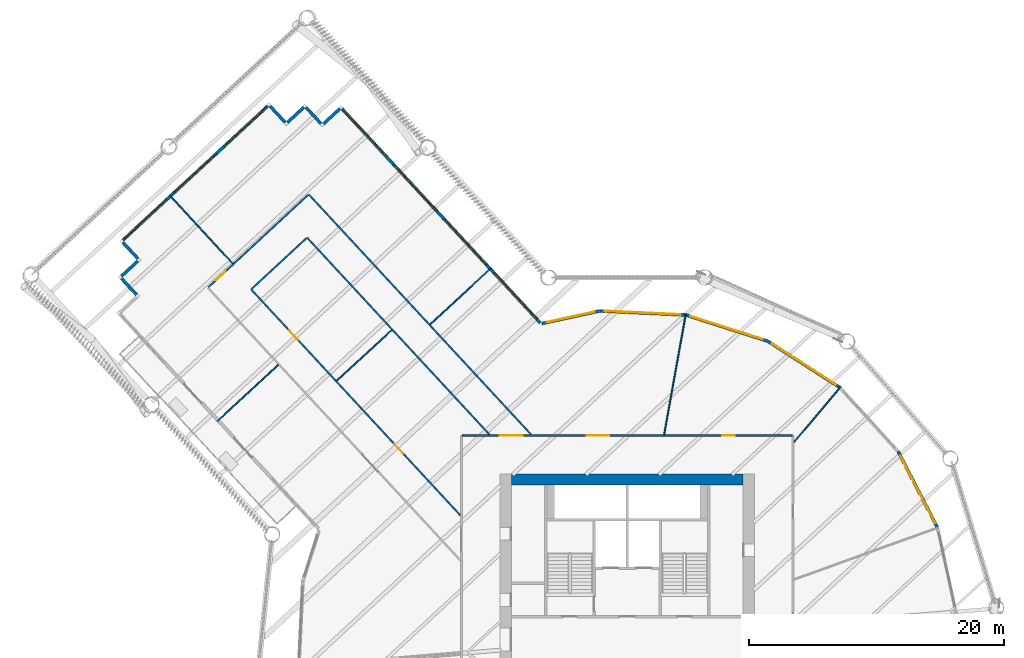
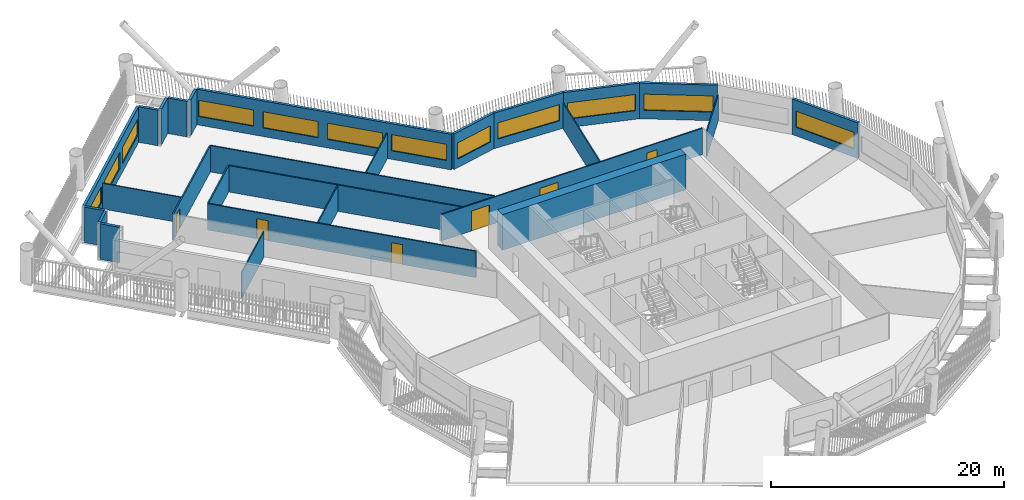
# One storey, part 7 of 22: 27 walls, 12 windows, 6 doors, 18 openings.
"""IFC4 building model written with IfcOpenShell, lengths in metres."""

from ifc_helpers import new_model, si_unit, direction, frame, frame_2d, origin, place, context, subcontext, project, spatial, rectangle, extrude, material, layer, layer_set, type_object, element, fill, save


model = new_model("IFC4")

# Units and contexts
model_context = context("Model", 3, precision=1e-05, world=origin(), true_north=direction((0.0, 1.0)))
body_context = subcontext(model_context, "Body", "Model", "MODEL_VIEW")
ifc_project = project(units=[si_unit("LENGTHUNIT", "METRE"), si_unit("AREAUNIT", "SQUARE_METRE"), si_unit("VOLUMEUNIT", "CUBIC_METRE"), si_unit("PLANEANGLEUNIT", "RADIAN"), si_unit("MASSUNIT", "GRAM", prefix="KILO")], contexts=[model_context])

# Site, building, storey
site_placement = place(None, origin())
site = spatial("IfcSite", under=ifc_project, at=site_placement, CompositionType="ELEMENT")
building_placement = place(site_placement, origin())
building = spatial("IfcBuilding", under=site, at=building_placement, Name="Tarsis Ring Headquarters", CompositionType="ELEMENT")
storey_placement = place(building_placement, frame((0.0, 0.0, 63.39990234375)))
storey = spatial("IfcBuildingStorey", under=building, at=storey_placement, Name="L13", CompositionType="ELEMENT", Elevation=63.39990234375)

# Walls
ifc_material_1 = material(Name="Concrete C60/75", Category="concrete")
ifc_layer_1 = layer(ifc_material_1, 0.89990234375)
ifc_layer_set_1 = layer_set([ifc_layer_1], Name="Core wall 900 C60/75")
wall_type_1 = type_object("IfcWallType", Name="Core wall 900 C60/75", PredefinedType="SHEAR", material=ifc_layer_set_1)
wall_1_placement = place(storey_placement, frame((-9.10009765625, 12.550048828125, 0.0), z_axis=(0.0, 0.0, 1.0), x_axis=(1.0, 0.0, 0.0)))
element("IfcWall", 1, at=wall_1_placement, inside=storey, type_object=wall_type_1, Name="Core wall ON", PredefinedType="SHEAR", context=body_context, shape_type="SweptSolid", body=[
    extrude(rectangle(XDim=18.2001953125, YDim=0.89990234375, at=frame_2d((9.10009765625, 0.0))), origin(), (0.0, 0.0, 1.0), 3.739990234375),
])
ifc_material_2 = material(Name="Gypsum board on steel studs", Category="steel")
ifc_layer_2 = layer(ifc_material_2, 0.10009765625)
ifc_layer_set_2 = layer_set([ifc_layer_2], Name="FL partition 100 unrated")
wall_type_2 = type_object("IfcWallType", Name="FL partition 100 unrated", PredefinedType="PARTITIONING", material=ifc_layer_set_2)
wall_2_placement = place(storey_placement, frame((2.891357421875, 16.06884765625, 0.0), z_axis=(0.0, 0.0, 1.0), x_axis=(0.17707188581, 0.984197920774, 0.0)))
element("IfcWall", 2, at=wall_2_placement, inside=storey, type_object=wall_type_2, Name="Partition PW3", PredefinedType="PARTITIONING", context=body_context, shape_type="SweptSolid", body=[
    extrude(rectangle(XDim=9.62109375, YDim=0.10009765625, at=frame_2d((4.810546875, 0.0))), origin(), (0.0, 0.0, 1.0), 2.7001953125),
])
wall_3_placement = place(storey_placement, frame((-35.897216796875, 34.835693359375, 0.0), z_axis=(0.0, 0.0, 1.0), x_axis=(0.679456178027, -0.733716090965, 0.0)))
element("IfcWall", 3, at=wall_3_placement, inside=storey, type_object=wall_type_2, Name="Partition PW3", PredefinedType="PARTITIONING", context=body_context, shape_type="SweptSolid", body=[
    extrude(rectangle(XDim=7.280029296875, YDim=0.10009765625, at=frame_2d((3.64013671875, 0.0))), origin(), (0.0, 0.0, 1.0), 2.7001953125),
])
wall_4_placement = place(storey_placement, frame((-15.452880859375, 24.723876953125, 0.0), z_axis=(0.0, 0.0, 1.0), x_axis=(0.733728027123, 0.679443288446, 0.0)))
element("IfcWall", 4, at=wall_4_placement, inside=storey, type_object=wall_type_2, Name="Partition PW3", PredefinedType="PARTITIONING", context=body_context, shape_type="SweptSolid", body=[
    extrude(rectangle(XDim=6.48974609375, YDim=0.10009765625, at=frame_2d((3.244873046875, 0.0))), origin(), (0.0, 0.0, 1.0), 2.7001953125),
])
wall_5_placement = place(storey_placement, frame((-32.147705078125, 17.12841796875, 0.0), z_axis=(0.0, 0.0, 1.0), x_axis=(0.733745393125, 0.67942453449, 0.0)))
element("IfcWall", 5, at=wall_5_placement, inside=storey, type_object=wall_type_2, Name="Partition PW3", PredefinedType="PARTITIONING", context=body_context, shape_type="SweptSolid", body=[
    extrude(rectangle(XDim=6.489990234375, YDim=0.10009765625, at=frame_2d((3.2451171875, 0.0))), origin(), (0.0, 0.0, 1.0), 2.7001953125),
])
wall_6_placement = place(storey_placement, frame((-22.777099609375, 20.29931640625, 0.0), z_axis=(0.0, 0.0, 1.0), x_axis=(0.733717447399, 0.679454713268, 0.0)))
element("IfcWall", 6, at=wall_6_placement, inside=storey, type_object=wall_type_2, Name="Partition PW3", PredefinedType="PARTITIONING", context=body_context, shape_type="SweptSolid", body=[
    extrude(rectangle(XDim=5.840087890625, YDim=0.10009765625, at=frame_2d((2.919921875, 0.0))), origin(), (0.0, 0.0, 1.0), 2.7001953125),
])
wall_7_placement = place(storey_placement, frame((13.09033203125, 15.490478515625, 0.0), z_axis=(0.0, 0.0, 1.0), x_axis=(0.645478633136, 0.763778327897, 0.0)))
element("IfcWall", 7, at=wall_7_placement, inside=storey, type_object=wall_type_2, Name="Partition PW3", PredefinedType="PARTITIONING", context=body_context, shape_type="SweptSolid", body=[
    extrude(rectangle(XDim=5.6669921875, YDim=0.10009765625, at=frame_2d((2.83349609375, 0.0))), origin(), (0.0, 0.0, 1.0), 2.7001953125),
])

# Wall, openings, doors
ifc_layer_3 = layer(ifc_material_2, 0.125)
ifc_layer_set_3 = layer_set([ifc_layer_3], Name="FL partition 125 EI 60 H2770")
wall_type_3 = type_object("IfcWallType", Name="FL partition 125 EI 60 H2770", PredefinedType="PARTITIONING", material=ifc_layer_set_3)
wall_8_placement = place(storey_placement, frame((-12.93994140625, 16.0, 0.0), z_axis=(0.0, 0.0, 1.0), x_axis=(1.0, 0.0, 0.0)))
wall_8 = element("IfcWall", 8, at=wall_8_placement, inside=storey, type_object=wall_type_3, Name="Partition PW1", PredefinedType="PARTITIONING", context=body_context, shape_type="SweptSolid", body=[
    extrude(rectangle(XDim=25.8798828125, YDim=0.125, at=frame_2d((12.93994140625, 0.0))), origin(), (0.0, 0.0, 1.0), 2.77001953125),
])
opening_1_placement = place(wall_8_placement, frame((9.744384765625, 0.0, 0.0)))
opening_1 = element("IfcOpeningElement", 9, at=opening_1_placement, cuts=wall_8, Name="Opening D13.02", PredefinedType="OPENING", context=body_context, shape_type="SweptSolid", body=[
    extrude(rectangle(XDim=1.800048828125, YDim=2.10009765625, at=frame_2d((0.89990234375, 1.050048828125))), frame((0.0, 0.072509765625, 0.0), z_axis=(0.0, -1.0, 0.0), x_axis=(1.0, 0.0, 0.0)), (0.0, 0.0, 1.0), 0.14501953125),
])
opening_2_placement = place(wall_8_placement, frame((20.37939453125, 0.0, 0.0)))
opening_2 = element("IfcOpeningElement", 10, at=opening_2_placement, cuts=wall_8, Name="Opening D13.03", PredefinedType="OPENING", context=body_context, shape_type="SweptSolid", body=[
    extrude(rectangle(XDim=1.0, YDim=2.10009765625, at=frame_2d((0.5, 1.050048828125))), frame((0.0, 0.072509765625, 0.0), z_axis=(0.0, -1.0, 0.0), x_axis=(1.0, 0.0, 0.0)), (0.0, 0.0, 1.0), 0.14501953125),
])
opening_3_placement = place(wall_8_placement, frame((2.934326171875, 0.0, 0.0)))
opening_3 = element("IfcOpeningElement", 11, at=opening_3_placement, cuts=wall_8, Name="Opening D13.20", PredefinedType="OPENING", context=body_context, shape_type="SweptSolid", body=[
    extrude(rectangle(XDim=1.800048828125, YDim=2.10009765625, at=frame_2d((0.89990234375, 1.050048828125))), frame((0.0, 0.072509765625, 0.0), z_axis=(0.0, -1.0, 0.0), x_axis=(1.0, 0.0, 0.0)), (0.0, 0.0, 1.0), 0.14501953125),
])
ifc_material_3 = material(Name="Fire-rated timber door leaf in steel frame", Category="steel")
door_type_1 = type_object("IfcDoorType", Name="FL door FD60-1000", OperationType="NOTDEFINED", PredefinedType="DOOR", material=ifc_material_3)
door_1_placement = place(opening_2_placement, origin())
door_1 = element("IfcDoor", 12, at=door_1_placement, inside=storey, type_object=door_type_1, Name="Door D13.03", OperationType="SINGLE_SWING_RIGHT", OverallHeight=2.10009765625, OverallWidth=1.0, PredefinedType="DOOR", context=body_context, shape_type="SweptSolid", body=[
    extrude(rectangle(XDim=1.0, YDim=2.10009765625, at=frame_2d((0.5, 1.050048828125))), frame((0.0, 0.02490234375, 0.0), z_axis=(0.0, -1.0, 0.0), x_axis=(1.0, 0.0, 0.0)), (0.0, 0.0, 1.0), 0.050048828125),
])
fill(opening_2, door_1)
door_type_2 = type_object("IfcDoorType", Name="FL door FD60-1800", OperationType="DOUBLE_DOOR_SINGLE_SWING", PredefinedType="DOOR", material=ifc_material_3)
door_2_placement = place(opening_1_placement, origin())
door_2 = element("IfcDoor", 13, at=door_2_placement, inside=storey, type_object=door_type_2, Name="Door D13.02", OperationType="DOUBLE_DOOR_SINGLE_SWING", OverallHeight=2.10009765625, OverallWidth=1.800048828125, PredefinedType="DOOR", context=body_context, shape_type="SweptSolid", body=[
    extrude(rectangle(XDim=1.800048828125, YDim=2.10009765625, at=frame_2d((0.89990234375, 1.050048828125))), frame((0.0, 0.02490234375, 0.0), z_axis=(0.0, -1.0, 0.0), x_axis=(1.0, 0.0, 0.0)), (0.0, 0.0, 1.0), 0.050048828125),
])
fill(opening_1, door_2)
door_3_placement = place(opening_3_placement, origin())
door_3 = element("IfcDoor", 14, at=door_3_placement, inside=storey, type_object=door_type_2, Name="Door D13.20", OperationType="DOUBLE_DOOR_SINGLE_SWING", OverallHeight=2.10009765625, OverallWidth=1.800048828125, PredefinedType="DOOR", context=body_context, shape_type="SweptSolid", body=[
    extrude(rectangle(XDim=1.800048828125, YDim=2.10009765625, at=frame_2d((0.89990234375, 1.050048828125))), frame((0.0, 0.02490234375, 0.0), z_axis=(0.0, -1.0, 0.0), x_axis=(1.0, 0.0, 0.0)), (0.0, 0.0, 1.0), 0.050048828125),
])
fill(opening_3, door_3)

# Wall
wall_9_placement = place(storey_placement, frame((-24.989501953125, 34.919189453125, 0.0), z_axis=(0.0, 0.0, 1.0), x_axis=(0.679440101149, -0.733730978596, 0.0)))
element("IfcWall", 15, at=wall_9_placement, inside=storey, type_object=wall_type_3, Name="Partition PW1", PredefinedType="PARTITIONING", context=body_context, shape_type="SweptSolid", body=[
    extrude(rectangle(XDim=25.65478515625, YDim=0.125, at=frame_2d((12.827392578125, 0.0))), origin(), (0.0, 0.0, 1.0), 2.77001953125),
])

# Wall, openings, doors
wall_10_placement = place(storey_placement, frame((-29.50732421875, 27.46435546875, 0.0), z_axis=(0.0, 0.0, 1.0), x_axis=(0.679437859491, -0.73373305438, 0.0)))
wall_10 = element("IfcWall", 16, at=wall_10_placement, inside=storey, type_object=wall_type_3, Name="Partition PW1", PredefinedType="PARTITIONING", context=body_context, shape_type="SweptSolid", body=[
    extrude(rectangle(XDim=24.155517578125, YDim=0.125, at=frame_2d((12.07763671875, 0.0))), origin(), (0.0, 0.0, 1.0), 2.77001953125),
])
opening_4_placement = place(wall_10_placement, frame((16.561767578125, 0.0, 0.0)))
opening_4 = element("IfcOpeningElement", 17, at=opening_4_placement, cuts=wall_10, Name="Opening D13.13", PredefinedType="OPENING", context=body_context, shape_type="SweptSolid", body=[
    extrude(rectangle(XDim=1.0, YDim=2.10009765625, at=frame_2d((0.5, 1.050048828125))), frame((0.0, 0.072509765625, 0.0), z_axis=(0.0, -1.0, 0.0), x_axis=(1.0, 0.0, 0.0)), (0.0, 0.0, 1.0), 0.14501953125),
])
opening_5_placement = place(wall_10_placement, frame((4.4140625, 0.0, 0.0)))
opening_5 = element("IfcOpeningElement", 18, at=opening_5_placement, cuts=wall_10, Name="Opening D13.14", PredefinedType="OPENING", context=body_context, shape_type="SweptSolid", body=[
    extrude(rectangle(XDim=1.0, YDim=2.10009765625, at=frame_2d((0.5, 1.050048828125))), frame((0.0, 0.072509765625, 0.0), z_axis=(0.0, -1.0, 0.0), x_axis=(1.0, 0.0, 0.0)), (0.0, 0.0, 1.0), 0.14501953125),
])
door_4_placement = place(opening_4_placement, origin())
door_4 = element("IfcDoor", 19, at=door_4_placement, inside=storey, type_object=door_type_1, Name="Door D13.13", OperationType="SINGLE_SWING_RIGHT", OverallHeight=2.10009765625, OverallWidth=1.0, PredefinedType="DOOR", context=body_context, shape_type="SweptSolid", body=[
    extrude(rectangle(XDim=1.0, YDim=2.10009765625, at=frame_2d((0.5, 1.050048828125))), frame((0.0, 0.02490234375, 0.0), z_axis=(0.0, -1.0, 0.0), x_axis=(1.0, 0.0, 0.0)), (0.0, 0.0, 1.0), 0.050048828125),
])
fill(opening_4, door_4)
door_5_placement = place(opening_5_placement, origin())
door_5 = element("IfcDoor", 20, at=door_5_placement, inside=storey, type_object=door_type_1, Name="Door D13.14", OperationType="SINGLE_SWING_LEFT", OverallHeight=2.10009765625, OverallWidth=1.0, PredefinedType="DOOR", context=body_context, shape_type="SweptSolid", body=[
    extrude(rectangle(XDim=1.0, YDim=2.10009765625, at=frame_2d((0.5, 1.050048828125))), frame((0.0, 0.02490234375, 0.0), z_axis=(0.0, -1.0, 0.0), x_axis=(1.0, 0.0, 0.0)), (0.0, 0.0, 1.0), 0.050048828125),
])
fill(opening_5, door_5)

# Wall
wall_11_placement = place(storey_placement, frame((-25.11962890625, 31.527587890625, 0.0), z_axis=(0.0, 0.0, 1.0), x_axis=(0.679440668182, -0.733730453518, 0.0)))
element("IfcWall", 21, at=wall_11_placement, inside=storey, type_object=wall_type_3, Name="Partition PW1", PredefinedType="PARTITIONING", context=body_context, shape_type="SweptSolid", body=[
    extrude(rectangle(XDim=21.032470703125, YDim=0.125, at=frame_2d((10.51611328125, 0.0))), origin(), (0.0, 0.0, 1.0), 2.77001953125),
])

# Wall, opening, door
wall_12_placement = place(storey_placement, frame((-32.85498046875, 27.635498046875, 0.0), z_axis=(0.0, 0.0, 1.0), x_axis=(0.73372515226, 0.679446392986, 0.0)))
wall_12 = element("IfcWall", 22, at=wall_12_placement, inside=storey, type_object=wall_type_3, Name="Partition PW1", PredefinedType="PARTITIONING", context=body_context, shape_type="SweptSolid", body=[
    extrude(rectangle(XDim=10.659912109375, YDim=0.125, at=frame_2d((5.330078125, 0.0))), origin(), (0.0, 0.0, 1.0), 2.77001953125),
])
opening_6_placement = place(wall_12_placement, frame((0.8017578125, 0.0, 0.0)))
opening_6 = element("IfcOpeningElement", 23, at=opening_6_placement, cuts=wall_12, Name="Opening D13.01", PredefinedType="OPENING", context=body_context, shape_type="SweptSolid", body=[
    extrude(rectangle(XDim=1.0, YDim=2.10009765625, at=frame_2d((0.5, 1.050048828125))), frame((0.0, 0.072509765625, 0.0), z_axis=(0.0, -1.0, 0.0), x_axis=(1.0, 0.0, 0.0)), (0.0, 0.0, 1.0), 0.14501953125),
])
door_6_placement = place(opening_6_placement, origin())
door_6 = element("IfcDoor", 24, at=door_6_placement, inside=storey, type_object=door_type_1, Name="Door D13.01", OperationType="SINGLE_SWING_RIGHT", OverallHeight=2.10009765625, OverallWidth=1.0, PredefinedType="DOOR", context=body_context, shape_type="SweptSolid", body=[
    extrude(rectangle(XDim=1.0, YDim=2.10009765625, at=frame_2d((0.5, 1.050048828125))), frame((0.0, 0.02490234375, 0.0), z_axis=(0.0, -1.0, 0.0), x_axis=(1.0, 0.0, 0.0)), (0.0, 0.0, 1.0), 0.050048828125),
])
fill(opening_6, door_6)

# Wall
wall_13_placement = place(storey_placement, frame((-29.46337890625, 27.505126953125, 0.0), z_axis=(0.0, 0.0, 1.0), x_axis=(0.733708363651, 0.679464522332, 0.0)))
element("IfcWall", 25, at=wall_13_placement, inside=storey, type_object=wall_type_3, Name="Partition PW1", PredefinedType="PARTITIONING", context=body_context, shape_type="SweptSolid", body=[
    extrude(rectangle(XDim=5.860107421875, YDim=0.125, at=frame_2d((2.93017578125, 0.0))), origin(), (0.0, 0.0, 1.0), 2.77001953125),
])

# Wall, opening, window
ifc_material_4 = material(Name="Terracotta clad insulated panel wall", Category="masonry")
ifc_layer_4 = layer(ifc_material_4, 0.25)
ifc_layer_set_4 = layer_set([ifc_layer_4], Name="Facade wall terracotta panel 250")
wall_type_4 = type_object("IfcWallType", Name="Facade wall terracotta panel 250", PredefinedType="STANDARD", material=ifc_layer_set_4)
wall_14_placement = place(storey_placement, frame((24.336669921875, 8.779052734375, 0.0), z_axis=(0.0, 0.0, 1.0), x_axis=(-0.458640144121, 0.888622089643, 0.0)))
wall_14 = element("IfcWall", 26, at=wall_14_placement, inside=storey, type_object=wall_type_4, Name="External wall L13-25", PredefinedType="STANDARD", context=body_context, shape_type="SweptSolid", body=[
    extrude(rectangle(XDim=6.721435546875, YDim=0.25, at=frame_2d((3.36083984375, 0.0))), origin(), (0.0, 0.0, 1.0), 3.739990234375),
])
opening_7_placement = place(wall_14_placement, frame((0.3857421875, 0.0, 0.89990234375)))
opening_7 = element("IfcOpeningElement", 27, at=opening_7_placement, cuts=wall_14, Name="Opening WN07", PredefinedType="OPENING", context=body_context, shape_type="SweptSolid", body=[
    extrude(rectangle(XDim=5.949951171875, YDim=1.699951171875, at=frame_2d((2.97509765625, 0.85009765625))), frame((0.0, 0.135009765625, 0.0), z_axis=(0.0, -1.0, 0.0), x_axis=(1.0, 0.0, 0.0)), (0.0, 0.0, 1.0), 0.27001953125),
])
ifc_material_5 = material(Name="Aluminium framed double glazing", Category="aluminium")
window_type_1 = type_object("IfcWindowType", Name="Facade window 5950 x 1700", PartitioningType="SINGLE_PANEL", PredefinedType="WINDOW", material=ifc_material_5)
window_1_placement = place(opening_7_placement, origin())
window_1 = element("IfcWindow", 28, at=window_1_placement, inside=storey, type_object=window_type_1, Name="Window L13-25.1", OverallHeight=1.699951171875, OverallWidth=5.949951171875, PartitioningType="SINGLE_PANEL", PredefinedType="WINDOW", context=body_context, shape_type="SweptSolid", body=[
    extrude(rectangle(XDim=5.949951171875, YDim=1.699951171875, at=frame_2d((2.97509765625, 0.85009765625))), frame((0.0, 0.030029296875, 0.0), z_axis=(0.0, -1.0, 0.0), x_axis=(1.0, 0.0, 0.0)), (0.0, 0.0, 1.0), 0.06005859375),
])
fill(opening_7, window_1)

wall_15_placement = place(storey_placement, frame((16.686767578125, 19.771240234375, 0.0), z_axis=(0.0, 0.0, 1.0), x_axis=(-0.841504039077, 0.54025082343, 0.0)))
wall_15 = element("IfcWall", 29, at=wall_15_placement, inside=storey, type_object=wall_type_4, Name="External wall L13-27", PredefinedType="STANDARD", context=body_context, shape_type="SweptSolid", body=[
    extrude(rectangle(XDim=6.7216796875, YDim=0.25, at=frame_2d((3.36083984375, 0.0))), origin(), (0.0, 0.0, 1.0), 3.739990234375),
])
opening_8_placement = place(wall_15_placement, frame((0.3857421875, 0.0, 0.89990234375)))
opening_8 = element("IfcOpeningElement", 30, at=opening_8_placement, cuts=wall_15, Name="Opening WN07", PredefinedType="OPENING", context=body_context, shape_type="SweptSolid", body=[
    extrude(rectangle(XDim=5.949951171875, YDim=1.699951171875, at=frame_2d((2.97509765625, 0.85009765625))), frame((0.0, 0.135009765625, 0.0), z_axis=(0.0, -1.0, 0.0), x_axis=(1.0, 0.0, 0.0)), (0.0, 0.0, 1.0), 0.27001953125),
])
window_2_placement = place(opening_8_placement, origin())
window_2 = element("IfcWindow", 31, at=window_2_placement, inside=storey, type_object=window_type_1, Name="Window L13-27.1", OverallHeight=1.699951171875, OverallWidth=5.949951171875, PartitioningType="SINGLE_PANEL", PredefinedType="WINDOW", context=body_context, shape_type="SweptSolid", body=[
    extrude(rectangle(XDim=5.949951171875, YDim=1.699951171875, at=frame_2d((2.97509765625, 0.85009765625))), frame((0.0, 0.030029296875, 0.0), z_axis=(0.0, -1.0, 0.0), x_axis=(1.0, 0.0, 0.0)), (0.0, 0.0, 1.0), 0.06005859375),
])
fill(opening_8, window_2)

wall_16_placement = place(storey_placement, frame((11.0009765625, 23.41650390625, 0.0), z_axis=(0.0, 0.0, 1.0), x_axis=(-0.952665926317, 0.30401913235, 0.0)))
wall_16 = element("IfcWall", 32, at=wall_16_placement, inside=storey, type_object=wall_type_4, Name="External wall L13-28", PredefinedType="STANDARD", context=body_context, shape_type="SweptSolid", body=[
    extrude(rectangle(XDim=6.721435546875, YDim=0.25, at=frame_2d((3.36083984375, 0.0))), origin(), (0.0, 0.0, 1.0), 3.739990234375),
])
opening_9_placement = place(wall_16_placement, frame((0.3857421875, 0.0, 0.89990234375)))
opening_9 = element("IfcOpeningElement", 33, at=opening_9_placement, cuts=wall_16, Name="Opening WN07", PredefinedType="OPENING", context=body_context, shape_type="SweptSolid", body=[
    extrude(rectangle(XDim=5.949951171875, YDim=1.699951171875, at=frame_2d((2.97509765625, 0.85009765625))), frame((0.0, 0.135009765625, 0.0), z_axis=(0.0, -1.0, 0.0), x_axis=(1.0, 0.0, 0.0)), (0.0, 0.0, 1.0), 0.27001953125),
])
window_3_placement = place(opening_9_placement, origin())
window_3 = element("IfcWindow", 34, at=window_3_placement, inside=storey, type_object=window_type_1, Name="Window L13-28.1", OverallHeight=1.699951171875, OverallWidth=5.949951171875, PartitioningType="SINGLE_PANEL", PredefinedType="WINDOW", context=body_context, shape_type="SweptSolid", body=[
    extrude(rectangle(XDim=5.949951171875, YDim=1.699951171875, at=frame_2d((2.97509765625, 0.85009765625))), frame((0.0, 0.030029296875, 0.0), z_axis=(0.0, -1.0, 0.0), x_axis=(1.0, 0.0, 0.0)), (0.0, 0.0, 1.0), 0.06005859375),
])
fill(opening_9, window_3)

wall_17_placement = place(storey_placement, frame((4.5654296875, 25.4658203125, 0.0), z_axis=(0.0, 0.0, 1.0), x_axis=(-0.998889728381, 0.047109558842, 0.0)))
wall_17 = element("IfcWall", 35, at=wall_17_placement, inside=storey, type_object=wall_type_4, Name="External wall L13-29", PredefinedType="STANDARD", context=body_context, shape_type="SweptSolid", body=[
    extrude(rectangle(XDim=6.7216796875, YDim=0.25, at=frame_2d((3.36083984375, 0.0))), origin(), (0.0, 0.0, 1.0), 3.739990234375),
])
opening_10_placement = place(wall_17_placement, frame((0.3857421875, 0.0, 0.89990234375)))
opening_10 = element("IfcOpeningElement", 36, at=opening_10_placement, cuts=wall_17, Name="Opening WN07", PredefinedType="OPENING", context=body_context, shape_type="SweptSolid", body=[
    extrude(rectangle(XDim=5.949951171875, YDim=1.699951171875, at=frame_2d((2.97509765625, 0.85009765625))), frame((0.0, 0.135009765625, 0.0), z_axis=(0.0, -1.0, 0.0), x_axis=(1.0, 0.0, 0.0)), (0.0, 0.0, 1.0), 0.27001953125),
])
window_4_placement = place(opening_10_placement, origin())
window_4 = element("IfcWindow", 37, at=window_4_placement, inside=storey, type_object=window_type_1, Name="Window L13-29.1", OverallHeight=1.699951171875, OverallWidth=5.949951171875, PartitioningType="SINGLE_PANEL", PredefinedType="WINDOW", context=body_context, shape_type="SweptSolid", body=[
    extrude(rectangle(XDim=5.949951171875, YDim=1.699951171875, at=frame_2d((2.97509765625, 0.85009765625))), frame((0.0, 0.030029296875, 0.0), z_axis=(0.0, -1.0, 0.0), x_axis=(1.0, 0.0, 0.0)), (0.0, 0.0, 1.0), 0.06005859375),
])
fill(opening_10, window_4)

wall_18_placement = place(storey_placement, frame((-2.18115234375, 25.77978515625, 0.0), z_axis=(0.0, 0.0, 1.0), x_axis=(-0.977037778415, -0.213066138908, 0.0)))
wall_18 = element("IfcWall", 38, at=wall_18_placement, inside=storey, type_object=wall_type_4, Name="External wall L13-30", PredefinedType="STANDARD", context=body_context, shape_type="SweptSolid", body=[
    extrude(rectangle(XDim=4.61767578125, YDim=0.25, at=frame_2d((2.308837890625, 0.0))), origin(), (0.0, 0.0, 1.0), 3.739990234375),
])
opening_11_placement = place(wall_18_placement, frame((0.367431640625, 0.0, 0.89990234375)))
opening_11 = element("IfcOpeningElement", 39, at=opening_11_placement, cuts=wall_18, Name="Opening WN02", PredefinedType="OPENING", context=body_context, shape_type="SweptSolid", body=[
    extrude(rectangle(XDim=3.85009765625, YDim=1.699951171875, at=frame_2d((1.925048828125, 0.85009765625))), frame((0.0, 0.135009765625, 0.0), z_axis=(0.0, -1.0, 0.0), x_axis=(1.0, 0.0, 0.0)), (0.0, 0.0, 1.0), 0.27001953125),
])
window_type_2 = type_object("IfcWindowType", Name="Facade window 3850 x 1700", PartitioningType="SINGLE_PANEL", PredefinedType="WINDOW", material=ifc_material_5)
window_5_placement = place(opening_11_placement, origin())
window_5 = element("IfcWindow", 40, at=window_5_placement, inside=storey, type_object=window_type_2, Name="Window L13-30.1", OverallHeight=1.699951171875, OverallWidth=3.85009765625, PartitioningType="SINGLE_PANEL", PredefinedType="WINDOW", context=body_context, shape_type="SweptSolid", body=[
    extrude(rectangle(XDim=3.85009765625, YDim=1.699951171875, at=frame_2d((1.925048828125, 0.85009765625))), frame((0.0, 0.030029296875, 0.0), z_axis=(0.0, -1.0, 0.0), x_axis=(1.0, 0.0, 0.0)), (0.0, 0.0, 1.0), 0.06005859375),
])
fill(opening_11, window_5)

# Wall, openings, windows
wall_19_placement = place(storey_placement, frame((-6.811279296875, 24.833251953125, 0.0), z_axis=(0.0, 0.0, 1.0), x_axis=(-0.679443744547, 0.733727604766, 0.0)))
wall_19 = element("IfcWall", 41, at=wall_19_placement, inside=storey, type_object=wall_type_4, Name="External wall L13-31", PredefinedType="STANDARD", context=body_context, shape_type="SweptSolid", body=[
    extrude(rectangle(XDim=22.901123046875, YDim=0.25, at=frame_2d((11.45068359375, 0.0))), origin(), (0.0, 0.0, 1.0), 3.739990234375),
])
opening_12_placement = place(wall_19_placement, frame((0.4189453125, 0.0, 0.89990234375)))
opening_12 = element("IfcOpeningElement", 42, at=opening_12_placement, cuts=wall_19, Name="Opening WN05", PredefinedType="OPENING", context=body_context, shape_type="SweptSolid", body=[
    extrude(rectangle(XDim=4.949951171875, YDim=1.699951171875, at=frame_2d((2.47509765625, 0.85009765625))), frame((0.0, 0.135009765625, 0.0), z_axis=(0.0, -1.0, 0.0), x_axis=(1.0, 0.0, 0.0)), (0.0, 0.0, 1.0), 0.27001953125),
])
opening_13_placement = place(wall_19_placement, frame((6.206787109375, 0.0, 0.89990234375)))
opening_13 = element("IfcOpeningElement", 43, at=opening_13_placement, cuts=wall_19, Name="Opening WN05", PredefinedType="OPENING", context=body_context, shape_type="SweptSolid", body=[
    extrude(rectangle(XDim=4.949951171875, YDim=1.699951171875, at=frame_2d((2.47509765625, 0.85009765625))), frame((0.0, 0.135009765625, 0.0), z_axis=(0.0, -1.0, 0.0), x_axis=(1.0, 0.0, 0.0)), (0.0, 0.0, 1.0), 0.27001953125),
])
opening_14_placement = place(wall_19_placement, frame((11.99462890625, 0.0, 0.89990234375)))
opening_14 = element("IfcOpeningElement", 44, at=opening_14_placement, cuts=wall_19, Name="Opening WN05", PredefinedType="OPENING", context=body_context, shape_type="SweptSolid", body=[
    extrude(rectangle(XDim=4.949951171875, YDim=1.699951171875, at=frame_2d((2.47509765625, 0.85009765625))), frame((0.0, 0.135009765625, 0.0), z_axis=(0.0, -1.0, 0.0), x_axis=(1.0, 0.0, 0.0)), (0.0, 0.0, 1.0), 0.27001953125),
])
opening_15_placement = place(wall_19_placement, frame((17.782470703125, 0.0, 0.89990234375)))
opening_15 = element("IfcOpeningElement", 45, at=opening_15_placement, cuts=wall_19, Name="Opening WN05", PredefinedType="OPENING", context=body_context, shape_type="SweptSolid", body=[
    extrude(rectangle(XDim=4.949951171875, YDim=1.699951171875, at=frame_2d((2.47509765625, 0.85009765625))), frame((0.0, 0.135009765625, 0.0), z_axis=(0.0, -1.0, 0.0), x_axis=(1.0, 0.0, 0.0)), (0.0, 0.0, 1.0), 0.27001953125),
])
window_type_3 = type_object("IfcWindowType", Name="Facade window 4950 x 1700", PartitioningType="SINGLE_PANEL", PredefinedType="WINDOW", material=ifc_material_5)
window_6_placement = place(opening_12_placement, origin())
window_6 = element("IfcWindow", 46, at=window_6_placement, inside=storey, type_object=window_type_3, Name="Window L13-31.1", OverallHeight=1.699951171875, OverallWidth=4.949951171875, PartitioningType="SINGLE_PANEL", PredefinedType="WINDOW", context=body_context, shape_type="SweptSolid", body=[
    extrude(rectangle(XDim=4.949951171875, YDim=1.699951171875, at=frame_2d((2.47509765625, 0.85009765625))), frame((0.0, 0.030029296875, 0.0), z_axis=(0.0, -1.0, 0.0), x_axis=(1.0, 0.0, 0.0)), (0.0, 0.0, 1.0), 0.06005859375),
])
fill(opening_12, window_6)
window_7_placement = place(opening_13_placement, origin())
window_7 = element("IfcWindow", 47, at=window_7_placement, inside=storey, type_object=window_type_3, Name="Window L13-31.2", OverallHeight=1.699951171875, OverallWidth=4.949951171875, PartitioningType="SINGLE_PANEL", PredefinedType="WINDOW", context=body_context, shape_type="SweptSolid", body=[
    extrude(rectangle(XDim=4.949951171875, YDim=1.699951171875, at=frame_2d((2.47509765625, 0.85009765625))), frame((0.0, 0.030029296875, 0.0), z_axis=(0.0, -1.0, 0.0), x_axis=(1.0, 0.0, 0.0)), (0.0, 0.0, 1.0), 0.06005859375),
])
fill(opening_13, window_7)
window_8_placement = place(opening_14_placement, origin())
window_8 = element("IfcWindow", 48, at=window_8_placement, inside=storey, type_object=window_type_3, Name="Window L13-31.3", OverallHeight=1.699951171875, OverallWidth=4.949951171875, PartitioningType="SINGLE_PANEL", PredefinedType="WINDOW", context=body_context, shape_type="SweptSolid", body=[
    extrude(rectangle(XDim=4.949951171875, YDim=1.699951171875, at=frame_2d((2.47509765625, 0.85009765625))), frame((0.0, 0.030029296875, 0.0), z_axis=(0.0, -1.0, 0.0), x_axis=(1.0, 0.0, 0.0)), (0.0, 0.0, 1.0), 0.06005859375),
])
fill(opening_14, window_8)
window_9_placement = place(opening_15_placement, origin())
window_9 = element("IfcWindow", 49, at=window_9_placement, inside=storey, type_object=window_type_3, Name="Window L13-31.4", OverallHeight=1.699951171875, OverallWidth=4.949951171875, PartitioningType="SINGLE_PANEL", PredefinedType="WINDOW", context=body_context, shape_type="SweptSolid", body=[
    extrude(rectangle(XDim=4.949951171875, YDim=1.699951171875, at=frame_2d((2.47509765625, 0.85009765625))), frame((0.0, 0.030029296875, 0.0), z_axis=(0.0, -1.0, 0.0), x_axis=(1.0, 0.0, 0.0)), (0.0, 0.0, 1.0), 0.06005859375),
])
fill(opening_15, window_9)

# Walls
for number, where, z_axis, x_axis, name in (
    (50, (-22.548095703125, 41.643310546875, 0.0), (0.0, 0.0, 1.0), (-0.733722032487, -0.679449761972, 0.0), "External wall L13-32"),
    (51, (-24.0087890625, 40.4609375, 0.0), (0.0, 0.0, 1.0), (-0.67938021281, 0.733786431084, 0.0), "External wall L13-33"),
):
    element("IfcWall", number, at=place(storey_placement, frame(where, z_axis=z_axis, x_axis=x_axis)), inside=storey, type_object=wall_type_4, Name=name, PredefinedType="STANDARD", context=body_context, shape_type="SweptSolid", body=[
        extrude(rectangle(XDim=1.75, YDim=0.25, at=frame_2d((0.875, 0.0))), origin(), (0.0, 0.0, 1.0), 3.739990234375),
    ])
for number, where, z_axis, x_axis, name in (
    (52, (-25.374267578125, 41.751953125, 0.0), (0.0, 0.0, 1.0), (-0.733716888736, -0.679455316546, 0.0), "External wall L13-34"),
    (53, (-26.8349609375, 40.569580078125, 0.0), (0.0, 0.0, 1.0), (-0.679455316546, 0.733716888736, 0.0), "External wall L13-35"),
):
    element("IfcWall", number, at=place(storey_placement, frame(where, z_axis=z_axis, x_axis=x_axis)), inside=storey, type_object=wall_type_4, Name=name, PredefinedType="STANDARD", context=body_context, shape_type="SweptSolid", body=[
        extrude(rectangle(XDim=1.750244140625, YDim=0.25, at=frame_2d((0.875, 0.0))), origin(), (0.0, 0.0, 1.0), 3.739990234375),
    ])

# Wall, openings, windows
wall_20_placement = place(storey_placement, frame((-28.20068359375, 41.8603515625, 0.0), z_axis=(0.0, 0.0, 1.0), x_axis=(-0.733732463368, -0.679438497732, 0.0)))
wall_20 = element("IfcWall", 54, at=wall_20_placement, inside=storey, type_object=wall_type_4, Name="External wall L13-36", PredefinedType="STANDARD", context=body_context, shape_type="SweptSolid", body=[
    extrude(rectangle(XDim=15.5, YDim=0.25, at=frame_2d((7.75, 0.0))), origin(), (0.0, 0.0, 1.0), 3.739990234375),
])
opening_16_placement = place(wall_20_placement, frame((0.166748046875, 0.0, 0.89990234375)))
opening_16 = element("IfcOpeningElement", 55, at=opening_16_placement, cuts=wall_20, Name="Opening WN04", PredefinedType="OPENING", context=body_context, shape_type="SweptSolid", body=[
    extrude(rectangle(XDim=4.5, YDim=1.699951171875, at=frame_2d((2.25, 0.85009765625))), frame((0.0, 0.135009765625, 0.0), z_axis=(0.0, -1.0, 0.0), x_axis=(1.0, 0.0, 0.0)), (0.0, 0.0, 1.0), 0.27001953125),
])
opening_17_placement = place(wall_20_placement, frame((5.5, 0.0, 0.89990234375)))
opening_17 = element("IfcOpeningElement", 56, at=opening_17_placement, cuts=wall_20, Name="Opening WN04", PredefinedType="OPENING", context=body_context, shape_type="SweptSolid", body=[
    extrude(rectangle(XDim=4.5, YDim=1.699951171875, at=frame_2d((2.25, 0.85009765625))), frame((0.0, 0.135009765625, 0.0), z_axis=(0.0, -1.0, 0.0), x_axis=(1.0, 0.0, 0.0)), (0.0, 0.0, 1.0), 0.27001953125),
])
opening_18_placement = place(wall_20_placement, frame((10.833251953125, 0.0, 0.89990234375)))
opening_18 = element("IfcOpeningElement", 57, at=opening_18_placement, cuts=wall_20, Name="Opening WN04", PredefinedType="OPENING", context=body_context, shape_type="SweptSolid", body=[
    extrude(rectangle(XDim=4.5, YDim=1.699951171875, at=frame_2d((2.25, 0.85009765625))), frame((0.0, 0.135009765625, 0.0), z_axis=(0.0, -1.0, 0.0), x_axis=(1.0, 0.0, 0.0)), (0.0, 0.0, 1.0), 0.27001953125),
])
window_type_4 = type_object("IfcWindowType", Name="Facade window 4500 x 1700", PartitioningType="SINGLE_PANEL", PredefinedType="WINDOW", material=ifc_material_5)
window_10_placement = place(opening_16_placement, origin())
window_10 = element("IfcWindow", 58, at=window_10_placement, inside=storey, type_object=window_type_4, Name="Window L13-36.1", OverallHeight=1.699951171875, OverallWidth=4.5, PartitioningType="SINGLE_PANEL", PredefinedType="WINDOW", context=body_context, shape_type="SweptSolid", body=[
    extrude(rectangle(XDim=4.5, YDim=1.699951171875, at=frame_2d((2.25, 0.85009765625))), frame((0.0, 0.030029296875, 0.0), z_axis=(0.0, -1.0, 0.0), x_axis=(1.0, 0.0, 0.0)), (0.0, 0.0, 1.0), 0.06005859375),
])
fill(opening_16, window_10)
window_11_placement = place(opening_17_placement, origin())
window_11 = element("IfcWindow", 59, at=window_11_placement, inside=storey, type_object=window_type_4, Name="Window L13-36.2", OverallHeight=1.699951171875, OverallWidth=4.5, PartitioningType="SINGLE_PANEL", PredefinedType="WINDOW", context=body_context, shape_type="SweptSolid", body=[
    extrude(rectangle(XDim=4.5, YDim=1.699951171875, at=frame_2d((2.25, 0.85009765625))), frame((0.0, 0.030029296875, 0.0), z_axis=(0.0, -1.0, 0.0), x_axis=(1.0, 0.0, 0.0)), (0.0, 0.0, 1.0), 0.06005859375),
])
fill(opening_17, window_11)
window_12_placement = place(opening_18_placement, origin())
window_12 = element("IfcWindow", 60, at=window_12_placement, inside=storey, type_object=window_type_4, Name="Window L13-36.3", OverallHeight=1.699951171875, OverallWidth=4.5, PartitioningType="SINGLE_PANEL", PredefinedType="WINDOW", context=body_context, shape_type="SweptSolid", body=[
    extrude(rectangle(XDim=4.5, YDim=1.699951171875, at=frame_2d((2.25, 0.85009765625))), frame((0.0, 0.030029296875, 0.0), z_axis=(0.0, -1.0, 0.0), x_axis=(1.0, 0.0, 0.0)), (0.0, 0.0, 1.0), 0.06005859375),
])
fill(opening_18, window_12)

# Walls
for number, where, z_axis, x_axis, name in (
    (61, (-39.580322265625, 31.15234375, 0.0), (0.0, 0.0, 1.0), (0.679449761972, -0.733722032487, 0.0), "External wall L13-37"),
    (62, (-38.398193359375, 29.69189453125, 0.0), (0.0, 0.0, 1.0), (-0.733652482006, -0.679524860212, 0.0), "External wall L13-38"),
    (63, (-39.68896484375, 28.326171875, 0.0), (0.0, 0.0, 1.0), (0.67938021281, -0.733786431084, 0.0), "External wall L13-39"),
):
    element("IfcWall", number, at=place(storey_placement, frame(where, z_axis=z_axis, x_axis=x_axis)), inside=storey, type_object=wall_type_4, Name=name, PredefinedType="STANDARD", context=body_context, shape_type="SweptSolid", body=[
        extrude(rectangle(XDim=1.75, YDim=0.25, at=frame_2d((0.875, 0.0))), origin(), (0.0, 0.0, 1.0), 3.739990234375),
    ])

save(model, "model.ifc")
